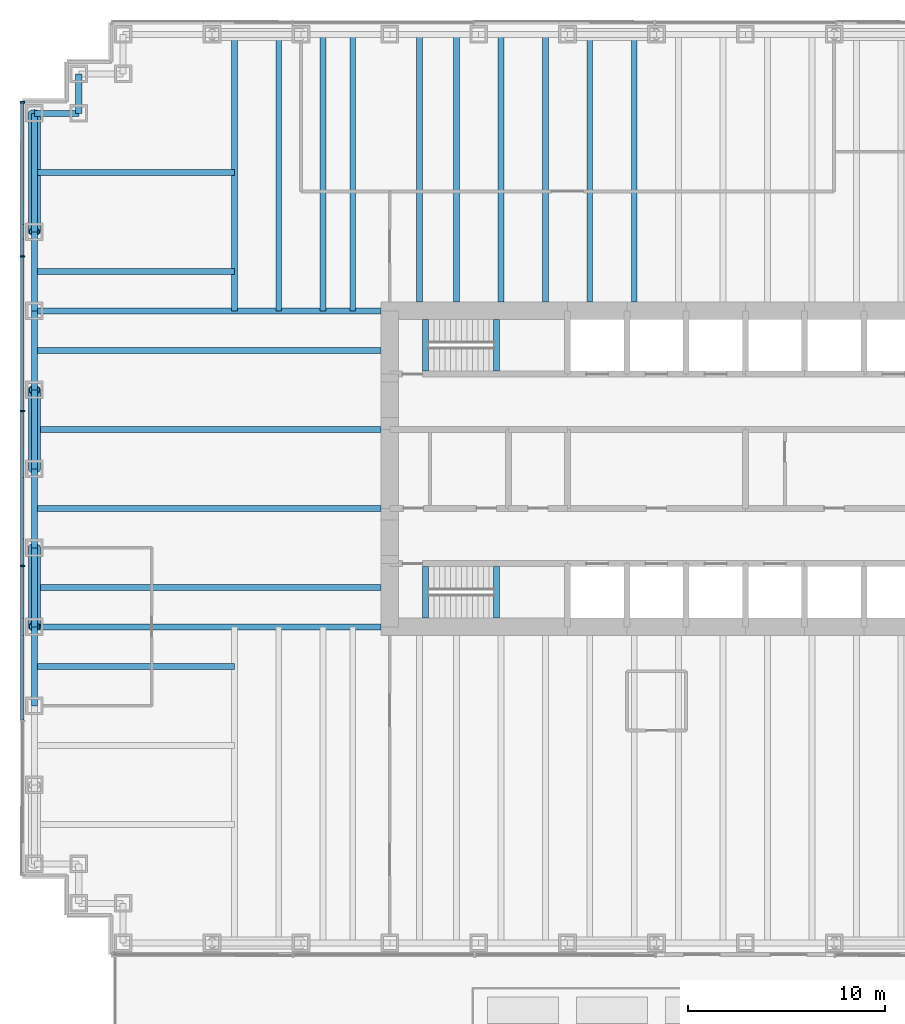
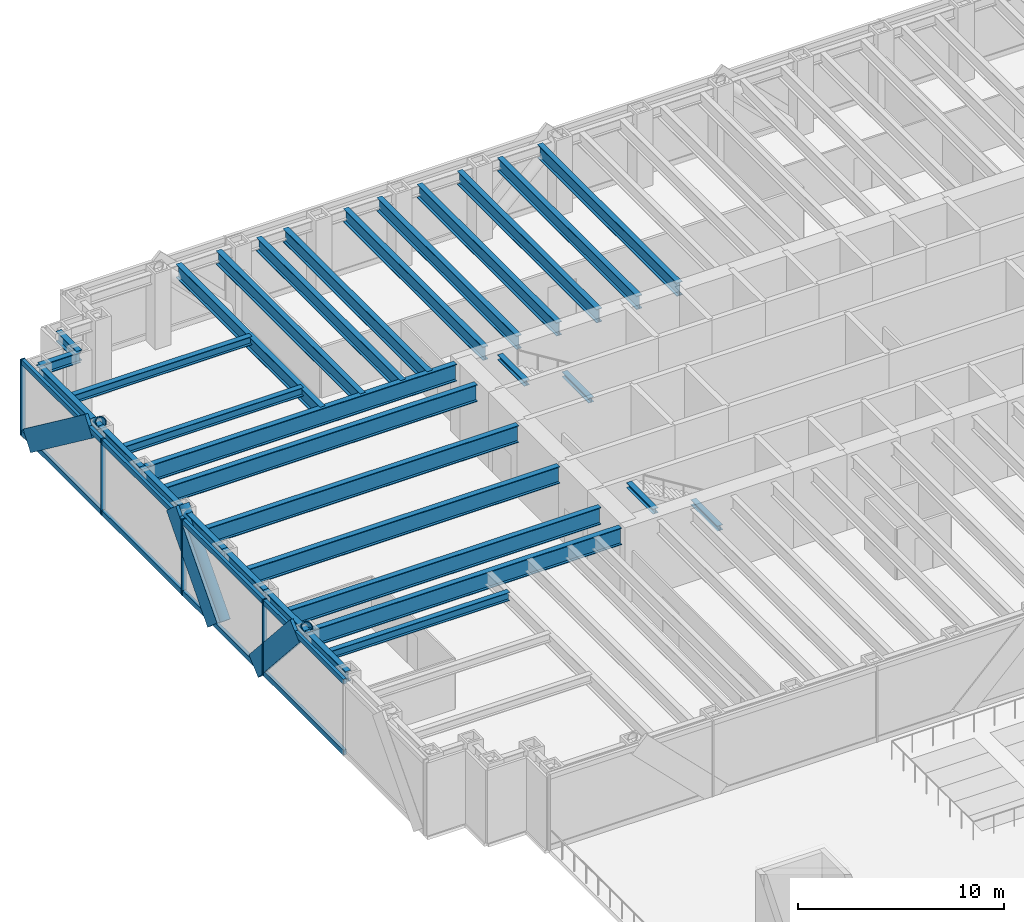
# One storey, part 4 of 15: 32 beams, 18 members, 1 element without a shape of its own.
"""IFC4 building model written with IfcOpenShell, lengths in metres."""

from ifc_helpers import new_model, si_unit, direction, frame, origin, origin_2d, place, context, subcontext, project, spatial, rectangle, hollow_circle, i_section, extrude, material, material_profile, profile_set, type_object, element, aggregate, save


model = new_model("IFC4")

# Units and contexts
model_context = context("Model", 3, precision=1e-05, world=origin(), true_north=direction((0.0, 1.0)))
body_context = subcontext(model_context, "Body", "Model", "MODEL_VIEW")
ifc_project = project(units=[si_unit("LENGTHUNIT", "METRE"), si_unit("AREAUNIT", "SQUARE_METRE"), si_unit("VOLUMEUNIT", "CUBIC_METRE"), si_unit("PLANEANGLEUNIT", "RADIAN"), si_unit("MASSUNIT", "GRAM", prefix="KILO")], contexts=[model_context])

# Site, building, storey
site_placement = place(None, origin())
site = spatial("IfcSite", under=ifc_project, at=site_placement, CompositionType="ELEMENT")
building_placement = place(site_placement, origin())
building = spatial("IfcBuilding", under=site, at=building_placement, Name="Rheinbord Bourse Tower", CompositionType="ELEMENT")
storey_placement = place(building_placement, frame((0.0, 0.0, 23.0)))
storey = spatial("IfcBuildingStorey", under=building, at=storey_placement, Name="L04", CompositionType="ELEMENT", Elevation=23.0)

# Curtain wall, members
ifc_material_1 = material(Name="Dark glass and black aluminium", Category="aluminium")
curtain_wall_type = type_object("IfcCurtainWallType", Name="CW1 DARK GLASS CURTAIN WALL", PredefinedType="USERDEFINED", material=ifc_material_1)
curtain_wall_placement = place(storey_placement, origin())
curtain_wall = element("IfcCurtainWall", 1, at=curtain_wall_placement, inside=storey, type_object=curtain_wall_type, Name="Curtain wall CW1 W L04", ObjectType="UNITISED CURTAIN WALL", PredefinedType="USERDEFINED")
ifc_material_2 = material(Name="Black anodised aluminium", Category="aluminium")
ifc_material_profile_1 = material_profile(ifc_material_2, rectangle(XDim=0.179931640625, YDim=1.2099609375, at=origin_2d()), Name="CW1 DIAGONAL MULLION 1210x180")
ifc_profile_set_1 = profile_set([ifc_material_profile_1], Name="Black anodised aluminium")
member_type_1 = type_object("IfcMemberType", Name="CW1 BLACK DIAGONAL MULLION", PredefinedType="USERDEFINED", material=ifc_profile_set_1)
member_1_placement = place(storey_placement, frame((-0.60009765625, 24.0, 0.0), z_axis=(0.0, 0.66436383883, 0.747409318684), x_axis=(-1.0, 0.0, 0.0)))
member_1 = element("IfcMember", 2, at=member_1_placement, type_object=member_type_1, Name="CW1 diagonal mullion a", ObjectType="DIAGONAL MULLION", PredefinedType="USERDEFINED", context=body_context, shape_type="SweptSolid", body=[
    extrude(rectangle(XDim=0.179931640625, YDim=1.2099609375, at=origin_2d()), origin(), (0.0, 0.0, 1.0), 6.020751953125),
])
member_2_placement = place(storey_placement, frame((-0.60009765625, 20.0, 0.0), z_axis=(0.0, -0.66436383883, 0.747409318684), x_axis=(1.0, 0.0, 0.0)))
member_2 = element("IfcMember", 3, at=member_2_placement, type_object=member_type_1, Name="CW1 diagonal mullion b", ObjectType="DIAGONAL MULLION", PredefinedType="USERDEFINED", context=body_context, shape_type="SweptSolid", body=[
    extrude(rectangle(XDim=0.179931640625, YDim=1.2099609375, at=origin_2d()), origin(), (0.0, 0.0, 1.0), 6.020751953125),
])
member_3_placement = place(storey_placement, frame((-0.60009765625, 42.0, 0.0), z_axis=(0.0, -0.8, 0.6), x_axis=(1.0, 0.0, 0.0)))
member_3 = element("IfcMember", 4, at=member_3_placement, type_object=member_type_1, Name="CW1 diagonal mullion c", ObjectType="DIAGONAL MULLION", PredefinedType="USERDEFINED", context=body_context, shape_type="SweptSolid", body=[
    extrude(rectangle(XDim=0.179931640625, YDim=1.2099609375, at=origin_2d()), origin(), (0.0, 0.0, 1.0), 7.5),
])
ifc_material_3 = material(Name="Black anodised aluminium", Category="aluminium")
ifc_material_profile_2 = material_profile(ifc_material_3, rectangle(XDim=0.25, YDim=0.080078125, at=origin_2d()), Name="CW1 MULLION 80x250")
ifc_profile_set_2 = profile_set([ifc_material_profile_2], Name="Black anodised aluminium")
member_type_2 = type_object("IfcMemberType", Name="CW1 BLACK MULLION", PredefinedType="MULLION", material=ifc_profile_set_2)
member_4_placement = place(storey_placement, frame((-0.60009765625, 42.56005859375, 0.0), z_axis=(0.0, 0.0, 1.0), x_axis=(1.0, 0.0, 0.0)))
member_4 = element("IfcMember", 5, at=member_4_placement, type_object=member_type_2, Name="CW1 mullion 1", PredefinedType="MULLION", context=body_context, shape_type="SweptSolid", body=[
    extrude(rectangle(XDim=0.25, YDim=0.080078125, at=origin_2d()), origin(), (0.0, 0.0, 1.0), 4.5),
])
member_5_placement = place(storey_placement, frame((-0.60009765625, 34.760009765625, 0.0), z_axis=(0.0, 0.0, 1.0), x_axis=(1.0, 0.0, 0.0)))
member_5 = element("IfcMember", 6, at=member_5_placement, type_object=member_type_2, Name="CW1 mullion 2", PredefinedType="MULLION", context=body_context, shape_type="SweptSolid", body=[
    extrude(rectangle(XDim=0.25, YDim=0.080078125, at=origin_2d()), origin(), (0.0, 0.0, 1.0), 4.5),
])
member_6_placement = place(storey_placement, frame((-0.60009765625, 26.919921875, 0.0), z_axis=(0.0, 0.0, 1.0), x_axis=(1.0, 0.0, 0.0)))
member_6 = element("IfcMember", 7, at=member_6_placement, type_object=member_type_2, Name="CW1 mullion 3", PredefinedType="MULLION", context=body_context, shape_type="SweptSolid", body=[
    extrude(rectangle(XDim=0.25, YDim=0.080078125, at=origin_2d()), origin(), (0.0, 0.0, 1.0), 4.5),
])
member_7_placement = place(storey_placement, frame((-0.60009765625, 19.080078125, 0.0), z_axis=(0.0, 0.0, 1.0), x_axis=(1.0, 0.0, 0.0)))
member_7 = element("IfcMember", 8, at=member_7_placement, type_object=member_type_2, Name="CW1 mullion 4", PredefinedType="MULLION", context=body_context, shape_type="SweptSolid", body=[
    extrude(rectangle(XDim=0.25, YDim=0.080078125, at=origin_2d()), origin(), (0.0, 0.0, 1.0), 4.5),
])
ifc_material_4 = material(Name="Black anodised aluminium", Category="aluminium")
ifc_material_profile_3 = material_profile(ifc_material_4, rectangle(XDim=0.179931640625, YDim=0.300048828125, at=origin_2d()), Name="CW1 TRANSOM 300x180")
ifc_profile_set_3 = profile_set([ifc_material_profile_3], Name="Black anodised aluminium")
member_type_3 = type_object("IfcMemberType", Name="CW1 BLACK TRANSOM", PredefinedType="USERDEFINED", material=ifc_profile_set_3)
member_8_placement = place(storey_placement, frame((-0.60009765625, 42.52001953125, 0.14990234375), z_axis=(0.0, -1.0, 0.0), x_axis=(1.0, 0.0, 0.0)))
member_8 = element("IfcMember", 9, at=member_8_placement, type_object=member_type_3, Name="CW1 transom 1.1", ObjectType="TRANSOM", PredefinedType="USERDEFINED", context=body_context, shape_type="SweptSolid", body=[
    extrude(rectangle(XDim=0.179931640625, YDim=0.300048828125, at=origin_2d()), origin(), (0.0, 0.0, 1.0), 7.719970703125),
])
member_9_placement = place(storey_placement, frame((-0.60009765625, 42.52001953125, 4.35009765625), z_axis=(0.0, -1.0, 0.0), x_axis=(1.0, 0.0, 0.0)))
member_9 = element("IfcMember", 10, at=member_9_placement, type_object=member_type_3, Name="CW1 transom 1.2", ObjectType="TRANSOM", PredefinedType="USERDEFINED", context=body_context, shape_type="SweptSolid", body=[
    extrude(rectangle(XDim=0.179931640625, YDim=0.300048828125, at=origin_2d()), origin(), (0.0, 0.0, 1.0), 7.719970703125),
])
member_10_placement = place(storey_placement, frame((-0.60009765625, 34.719970703125, 0.14990234375), z_axis=(0.0, -1.0, 0.0), x_axis=(1.0, 0.0, 0.0)))
member_10 = element("IfcMember", 11, at=member_10_placement, type_object=member_type_3, Name="CW1 transom 2.1", ObjectType="TRANSOM", PredefinedType="USERDEFINED", context=body_context, shape_type="SweptSolid", body=[
    extrude(rectangle(XDim=0.179931640625, YDim=0.300048828125, at=origin_2d()), origin(), (0.0, 0.0, 1.0), 7.760009765625),
])
member_11_placement = place(storey_placement, frame((-0.60009765625, 34.719970703125, 4.35009765625), z_axis=(0.0, -1.0, 0.0), x_axis=(1.0, 0.0, 0.0)))
member_11 = element("IfcMember", 12, at=member_11_placement, type_object=member_type_3, Name="CW1 transom 2.2", ObjectType="TRANSOM", PredefinedType="USERDEFINED", context=body_context, shape_type="SweptSolid", body=[
    extrude(rectangle(XDim=0.179931640625, YDim=0.300048828125, at=origin_2d()), origin(), (0.0, 0.0, 1.0), 7.760009765625),
])
member_12_placement = place(storey_placement, frame((-0.60009765625, 26.8798828125, 0.14990234375), z_axis=(0.0, -1.0, 0.0), x_axis=(1.0, 0.0, 0.0)))
member_12 = element("IfcMember", 13, at=member_12_placement, type_object=member_type_3, Name="CW1 transom 3.1", ObjectType="TRANSOM", PredefinedType="USERDEFINED", context=body_context, shape_type="SweptSolid", body=[
    extrude(rectangle(XDim=0.179931640625, YDim=0.300048828125, at=origin_2d()), origin(), (0.0, 0.0, 1.0), 7.759765625),
])
member_13_placement = place(storey_placement, frame((-0.60009765625, 26.8798828125, 4.35009765625), z_axis=(0.0, -1.0, 0.0), x_axis=(1.0, 0.0, 0.0)))
member_13 = element("IfcMember", 14, at=member_13_placement, type_object=member_type_3, Name="CW1 transom 3.2", ObjectType="TRANSOM", PredefinedType="USERDEFINED", context=body_context, shape_type="SweptSolid", body=[
    extrude(rectangle(XDim=0.179931640625, YDim=0.300048828125, at=origin_2d()), origin(), (0.0, 0.0, 1.0), 7.759765625),
])
member_14_placement = place(storey_placement, frame((-0.60009765625, 19.0400390625, 0.14990234375), z_axis=(0.0, -1.0, 0.0), x_axis=(1.0, 0.0, 0.0)))
member_14 = element("IfcMember", 15, at=member_14_placement, type_object=member_type_3, Name="CW1 transom 4.1", ObjectType="TRANSOM", PredefinedType="USERDEFINED", context=body_context, shape_type="SweptSolid", body=[
    extrude(rectangle(XDim=0.179931640625, YDim=0.300048828125, at=origin_2d()), origin(), (0.0, 0.0, 1.0), 7.760009765625),
])
member_15_placement = place(storey_placement, frame((-0.60009765625, 19.0400390625, 4.35009765625), z_axis=(0.0, -1.0, 0.0), x_axis=(1.0, 0.0, 0.0)))
member_15 = element("IfcMember", 16, at=member_15_placement, type_object=member_type_3, Name="CW1 transom 4.2", ObjectType="TRANSOM", PredefinedType="USERDEFINED", context=body_context, shape_type="SweptSolid", body=[
    extrude(rectangle(XDim=0.179931640625, YDim=0.300048828125, at=origin_2d()), origin(), (0.0, 0.0, 1.0), 7.760009765625),
])
aggregate(curtain_wall, [member_4, member_5, member_6, member_7, member_8, member_9, member_10, member_11, member_12, member_13, member_14, member_15, member_1, member_2, member_3])

# Beams
ifc_material_5 = material(Name="Steel S460", Category="steel")
ifc_material_profile_4 = material_profile(ifc_material_5, i_section(OverallWidth=0.302001953125, OverallDepth=1.008056640625, WebThickness=0.02099609375, FlangeThickness=0.0400390625, at=origin_2d()), Name="HEM 1000")
ifc_profile_set_4 = profile_set([ifc_material_profile_4], Name="Steel S460")
beam_type_1 = type_object("IfcBeamType", Name="END BEAM HEM 1000", PredefinedType="BEAM", material=ifc_profile_set_4)
for number, where, z_axis, x_axis, name in (
    (17, (0.0, 18.0, 3.81591796875), (1.0, 0.0, 0.0), (0.0, 1.0, 0.0), "End beam west 18 L05"),
    (18, (0.0, 22.0, 3.81591796875), (1.0, 0.0, 0.0), (0.0, 1.0, 0.0), "End beam west 22 L05"),
    (19, (0.0, 26.0, 3.81591796875), (1.0, 0.0, 0.0), (0.0, 1.0, 0.0), "End beam west 26 L05"),
    (20, (0.0, 30.0, 3.81591796875), (1.0, 0.0, 0.0), (0.0, 1.0, 0.0), "End beam west 30 L05"),
):
    element("IfcBeam", number, at=place(storey_placement, frame(where, z_axis=z_axis, x_axis=x_axis)), inside=storey, type_object=beam_type_1, Name=name, PredefinedType="BEAM", context=body_context, shape_type="SweptSolid", body=[
        extrude(i_section(OverallWidth=0.302001953125, OverallDepth=1.008056640625, WebThickness=0.02099609375, FlangeThickness=0.0400390625, at=origin_2d()), origin(), (0.0, 0.0, 1.0), 17.550048828125),
    ])
ifc_material_6 = material(Name="Steel S460", Category="steel")
ifc_material_profile_5 = material_profile(ifc_material_6, i_section(OverallWidth=0.300048828125, OverallDepth=0.800048828125, WebThickness=0.017578125, FlangeThickness=0.032958984375, at=origin_2d()), Name="HEB 800")
ifc_profile_set_5 = profile_set([ifc_material_profile_5], Name="Steel S460")
beam_type_2 = type_object("IfcBeamType", Name="FLOOR BEAM HEB 800", PredefinedType="BEAM", material=ifc_profile_set_5)
for number, where, z_axis, x_axis, name in (
    (21, (10.125, 46.0, 3.919921875), (0.0, -1.0, 0.0), (1.0, 0.0, 0.0), "Floor beam N-9a L05"),
    (22, (12.375, 46.0, 3.919921875), (0.0, -1.0, 0.0), (1.0, 0.0, 0.0), "Floor beam N-9b L05"),
    (23, (14.625, 46.0, 3.919921875), (0.0, -1.0, 0.0), (1.0, 0.0, 0.0), "Floor beam N-13.5a L05"),
    (24, (16.125, 46.0, 3.919921875), (0.0, -1.0, 0.0), (1.0, 0.0, 0.0), "Floor beam N-13.5b L05"),
):
    element("IfcBeam", number, at=place(storey_placement, frame(where, z_axis=z_axis, x_axis=x_axis)), inside=storey, type_object=beam_type_2, Name=name, PredefinedType="BEAM", context=body_context, shape_type="SweptSolid", body=[
        extrude(i_section(OverallWidth=0.300048828125, OverallDepth=0.800048828125, WebThickness=0.017578125, FlangeThickness=0.032958984375, at=origin_2d()), origin(), (0.0, 0.0, 1.0), 14.0),
    ])
for number, where, z_axis, x_axis, name in (
    (25, (19.5, 46.0, 3.919921875), (0.0, -1.0, 0.0), (1.0, 0.0, 0.0), "Floor beam N-18a L05"),
    (26, (21.375, 46.0, 3.919921875), (0.0, -1.0, 0.0), (1.0, 0.0, 0.0), "Floor beam N-18b L05"),
    (27, (23.625, 46.0, 3.919921875), (0.0, -1.0, 0.0), (1.0, 0.0, 0.0), "Floor beam N-22.5a L05"),
    (28, (25.875, 46.0, 3.919921875), (0.0, -1.0, 0.0), (1.0, 0.0, 0.0), "Floor beam N-22.5b L05"),
    (29, (28.125, 46.0, 3.919921875), (0.0, -1.0, 0.0), (1.0, 0.0, 0.0), "Floor beam N-27a L05"),
    (30, (30.375, 46.0, 3.919921875), (0.0, -1.0, 0.0), (1.0, 0.0, 0.0), "Floor beam N-27b L05"),
):
    element("IfcBeam", number, at=place(storey_placement, frame(where, z_axis=z_axis, x_axis=x_axis)), inside=storey, type_object=beam_type_2, Name=name, PredefinedType="BEAM", context=body_context, shape_type="SweptSolid", body=[
        extrude(i_section(OverallWidth=0.300048828125, OverallDepth=0.800048828125, WebThickness=0.017578125, FlangeThickness=0.032958984375, at=origin_2d()), origin(), (0.0, 0.0, 1.0), 13.550048828125),
    ])
ifc_material_7 = material(Name="Steel S460", Category="steel")
ifc_material_profile_6 = material_profile(ifc_material_7, i_section(OverallWidth=0.302001953125, OverallDepth=1.008056640625, WebThickness=0.02099609375, FlangeThickness=0.0400390625, at=origin_2d()), Name="HEM 1000")
ifc_profile_set_6 = profile_set([ifc_material_profile_6], Name="Steel S460")
beam_type_3 = type_object("IfcBeamType", Name="GIRDER HEM 1000", PredefinedType="BEAM", material=ifc_profile_set_6)
for number, where, z_axis, x_axis, name in (
    (31, (0.0, 16.0, 3.81591796875), (1.0, 0.0, 0.0), (0.0, 1.0, 0.0), "Girder west 16 L05"),
    (32, (0.0, 32.0, 3.81591796875), (1.0, 0.0, 0.0), (0.0, 1.0, 0.0), "Girder west 32 L05"),
):
    element("IfcBeam", number, at=place(storey_placement, frame(where, z_axis=z_axis, x_axis=x_axis)), inside=storey, type_object=beam_type_3, Name=name, PredefinedType="BEAM", context=body_context, shape_type="SweptSolid", body=[
        extrude(i_section(OverallWidth=0.302001953125, OverallDepth=1.008056640625, WebThickness=0.02099609375, FlangeThickness=0.0400390625, at=origin_2d()), origin(), (0.0, 0.0, 1.0), 17.550048828125),
    ])
ifc_material_8 = material(Name="Steel S460", Category="steel")
ifc_material_profile_7 = material_profile(ifc_material_8, i_section(OverallWidth=0.300048828125, OverallDepth=0.300048828125, WebThickness=0.010986328125, FlangeThickness=0.01904296875, at=origin_2d()), Name="HEB 300")
ifc_profile_set_7 = profile_set([ifc_material_profile_7], Name="Steel S460")
beam_type_4 = type_object("IfcBeamType", Name="LANDING TRIMMER HEB 300", PredefinedType="BEAM", material=ifc_profile_set_7)
for number, where, z_axis, x_axis, name in (
    (33, (23.409912109375, 16.449951171875, 1.89990234375), (0.0, 1.0, 0.0), (-1.0, 0.0, 0.0), "Landing trimmer ST1 L04"),
    (34, (19.800048828125, 16.449951171875, 4.169921875), (0.0, 1.0, 0.0), (-1.0, 0.0, 0.0), "Well trimmer ST1 under L05"),
    (35, (23.409912109375, 28.949951171875, 1.89990234375), (0.0, 1.0, 0.0), (-1.0, 0.0, 0.0), "Landing trimmer ST2 L04"),
    (36, (19.800048828125, 28.949951171875, 4.169921875), (0.0, 1.0, 0.0), (-1.0, 0.0, 0.0), "Well trimmer ST2 under L05"),
):
    element("IfcBeam", number, at=place(storey_placement, frame(where, z_axis=z_axis, x_axis=x_axis)), inside=storey, type_object=beam_type_4, Name=name, PredefinedType="BEAM", context=body_context, shape_type="SweptSolid", body=[
        extrude(i_section(OverallWidth=0.300048828125, OverallDepth=0.300048828125, WebThickness=0.010986328125, FlangeThickness=0.01904296875, at=origin_2d()), origin(), (0.0, 0.0, 1.0), 2.60009765625),
    ])

# Members
ifc_material_9 = material(Name="Steel S460", Category="steel")
ifc_material_profile_8 = material_profile(ifc_material_9, hollow_circle(Radius=0.304931640625, WallThickness=0.050048828125, at=origin_2d()), Name="CHS 610x50")
ifc_profile_set_8 = profile_set([ifc_material_profile_8], Name="Steel S460")
member_type_4 = type_object("IfcMemberType", Name="MEGABRACE CHS 610x50", PredefinedType="BRACE", material=ifc_profile_set_8)
for number, where, z_axis, x_axis, name in (
    (37, (0.0, 24.0, 0.0), (0.0, 0.66436383883, 0.747409318684), (-1.0, 0.0, 0.0), "Megabrace W face line a L04"),
    (38, (0.0, 20.0, 0.0), (0.0, -0.66436383883, 0.747409318684), (1.0, 0.0, 0.0), "Megabrace W face line b L04"),
):
    element("IfcMember", number, at=place(storey_placement, frame(where, z_axis=z_axis, x_axis=x_axis)), inside=storey, type_object=member_type_4, Name=name, PredefinedType="BRACE", context=body_context, shape_type="SweptSolid", body=[
        extrude(hollow_circle(Radius=0.304931640625, WallThickness=0.050048828125, at=origin_2d()), origin(), (0.0, 0.0, 1.0), 6.020751953125),
    ])
member_16_placement = place(storey_placement, frame((0.0, 42.0, 0.0), z_axis=(0.0, -0.8, 0.6), x_axis=(1.0, 0.0, 0.0)))
element("IfcMember", 39, at=member_16_placement, inside=storey, type_object=member_type_4, Name="Megabrace W face line c L04", PredefinedType="BRACE", context=body_context, shape_type="SweptSolid", body=[
    extrude(hollow_circle(Radius=0.304931640625, WallThickness=0.050048828125, at=origin_2d()), origin(), (0.0, 0.0, 1.0), 7.5),
])

# Beams
ifc_material_10 = material(Name="Steel S460", Category="steel")
ifc_material_profile_9 = material_profile(ifc_material_10, i_section(OverallWidth=0.304931640625, OverallDepth=0.6201171875, WebThickness=0.02099609375, FlangeThickness=0.0400390625, at=origin_2d()), Name="HEM 600")
ifc_profile_set_9 = profile_set([ifc_material_profile_9], Name="Steel S460")
beam_type_5 = type_object("IfcBeamType", Name="SPANDREL HEM 600", PredefinedType="SPANDREL", material=ifc_profile_set_9)
beam_1_placement = place(storey_placement, frame((2.25, 44.0, 4.010009765625), z_axis=(0.0, -1.0, 0.0), x_axis=(1.0, 0.0, 0.0)))
element("IfcBeam", 40, at=beam_1_placement, inside=storey, type_object=beam_type_5, Name="Spandrel NW-C-NW-B under L05", PredefinedType="SPANDREL", context=body_context, shape_type="SweptSolid", body=[
    extrude(i_section(OverallWidth=0.304931640625, OverallDepth=0.6201171875, WebThickness=0.02099609375, FlangeThickness=0.0400390625, at=origin_2d()), origin(), (0.0, 0.0, 1.0), 2.0),
])
beam_2_placement = place(storey_placement, frame((2.25, 42.0, 4.010009765625), z_axis=(-1.0, 0.0, 0.0), x_axis=(0.0, -1.0, 0.0)))
element("IfcBeam", 41, at=beam_2_placement, inside=storey, type_object=beam_type_5, Name="Spandrel NW-B-NW-A under L05", PredefinedType="SPANDREL", context=body_context, shape_type="SweptSolid", body=[
    extrude(i_section(OverallWidth=0.304931640625, OverallDepth=0.6201171875, WebThickness=0.02099609375, FlangeThickness=0.0400390625, at=origin_2d()), origin(), (0.0, 0.0, 1.0), 2.25),
])
beam_3_placement = place(storey_placement, frame((0.0, 42.0, 4.010009765625), z_axis=(0.0, -1.0, 0.0), x_axis=(1.0, 0.0, 0.0)))
element("IfcBeam", 42, at=beam_3_placement, inside=storey, type_object=beam_type_5, Name="Spandrel NW-A-W-36 under L05", PredefinedType="SPANDREL", context=body_context, shape_type="SweptSolid", body=[
    extrude(i_section(OverallWidth=0.304931640625, OverallDepth=0.6201171875, WebThickness=0.02099609375, FlangeThickness=0.0400390625, at=origin_2d()), origin(), (0.0, 0.0, 1.0), 6.0),
])
for number, where, z_axis, x_axis, name in (
    (43, (0.0, 36.0, 4.010009765625), (0.0, -1.0, 0.0), (1.0, 0.0, 0.0), "Spandrel W-36-W-32 under L05"),
    (44, (0.0, 32.0, 4.010009765625), (0.0, -1.0, 0.0), (1.0, 0.0, 0.0), "Spandrel W-32-W-28 under L05"),
    (45, (0.0, 28.0, 4.010009765625), (0.0, -1.0, 0.0), (1.0, 0.0, 0.0), "Spandrel W-28-W-24 under L05"),
    (46, (0.0, 24.0, 4.010009765625), (0.0, -1.0, 0.0), (1.0, 0.0, 0.0), "Spandrel W-24-W-20 under L05"),
    (47, (0.0, 20.0, 4.010009765625), (0.0, -1.0, 0.0), (1.0, 0.0, 0.0), "Spandrel W-20-W-16 under L05"),
    (48, (0.0, 16.0, 4.010009765625), (0.0, -1.0, 0.0), (1.0, 0.0, 0.0), "Spandrel W-16-W-12 under L05"),
):
    element("IfcBeam", number, at=place(storey_placement, frame(where, z_axis=z_axis, x_axis=x_axis)), inside=storey, type_object=beam_type_5, Name=name, PredefinedType="SPANDREL", context=body_context, shape_type="SweptSolid", body=[
        extrude(i_section(OverallWidth=0.304931640625, OverallDepth=0.6201171875, WebThickness=0.02099609375, FlangeThickness=0.0400390625, at=origin_2d()), origin(), (0.0, 0.0, 1.0), 4.0),
    ])
ifc_material_11 = material(Name="Steel S460", Category="steel")
ifc_material_profile_10 = material_profile(ifc_material_11, i_section(OverallWidth=0.300048828125, OverallDepth=0.5, WebThickness=0.014404296875, FlangeThickness=0.028076171875, at=origin_2d()), Name="HEB 500")
ifc_profile_set_10 = profile_set([ifc_material_profile_10], Name="Steel S460")
beam_type_6 = type_object("IfcBeamType", Name="TIE BEAM HEB 500", PredefinedType="JOIST", material=ifc_profile_set_10)
for number, where, z_axis, x_axis, name in (
    (49, (0.0, 14.0, 4.070068359375), (1.0, 0.0, 0.0), (0.0, 1.0, 0.0), "Tie west 14 L05"),
    (50, (0.0, 34.0, 4.070068359375), (1.0, 0.0, 0.0), (0.0, 1.0, 0.0), "Tie west 34 L05"),
    (51, (0.0, 39.0, 4.070068359375), (1.0, 0.0, 0.0), (0.0, 1.0, 0.0), "Tie west 39 L05"),
):
    element("IfcBeam", number, at=place(storey_placement, frame(where, z_axis=z_axis, x_axis=x_axis)), inside=storey, type_object=beam_type_6, Name=name, PredefinedType="JOIST", context=body_context, shape_type="SweptSolid", body=[
        extrude(i_section(OverallWidth=0.300048828125, OverallDepth=0.5, WebThickness=0.014404296875, FlangeThickness=0.028076171875, at=origin_2d()), origin(), (0.0, 0.0, 1.0), 10.125),
    ])

save(model, "model.ifc")
